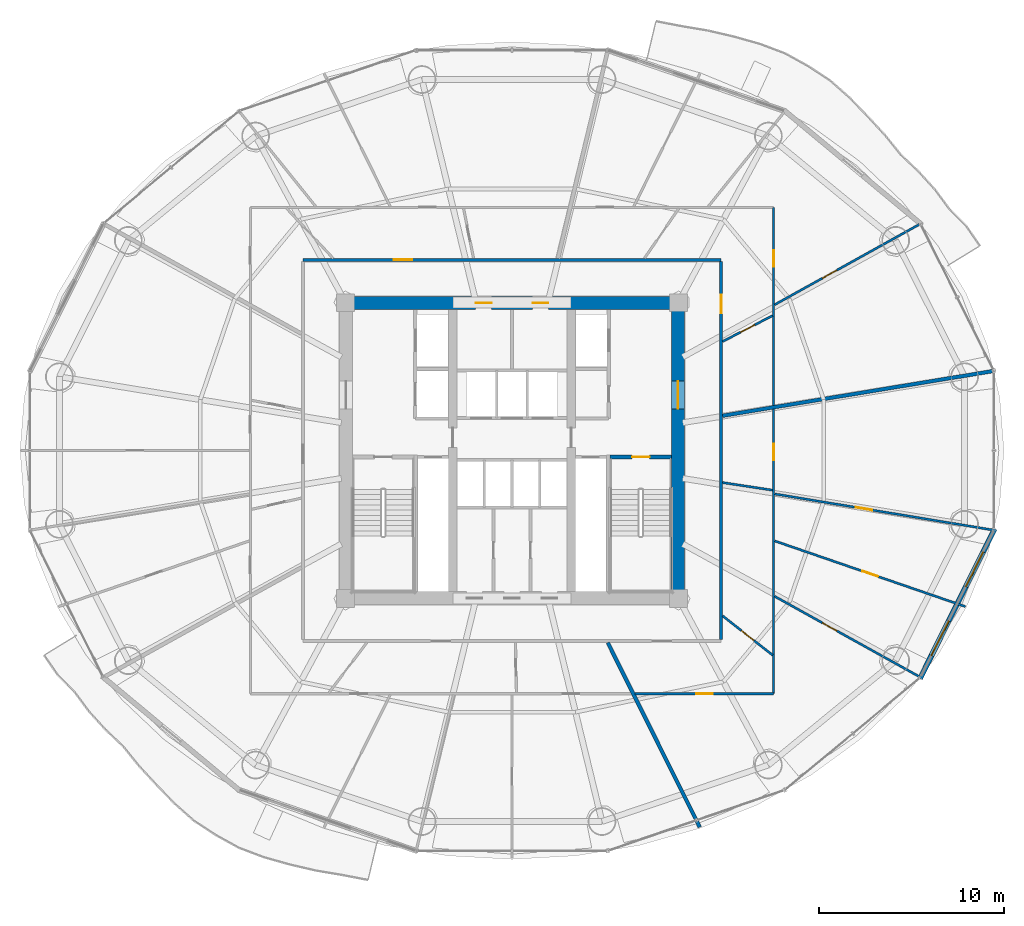
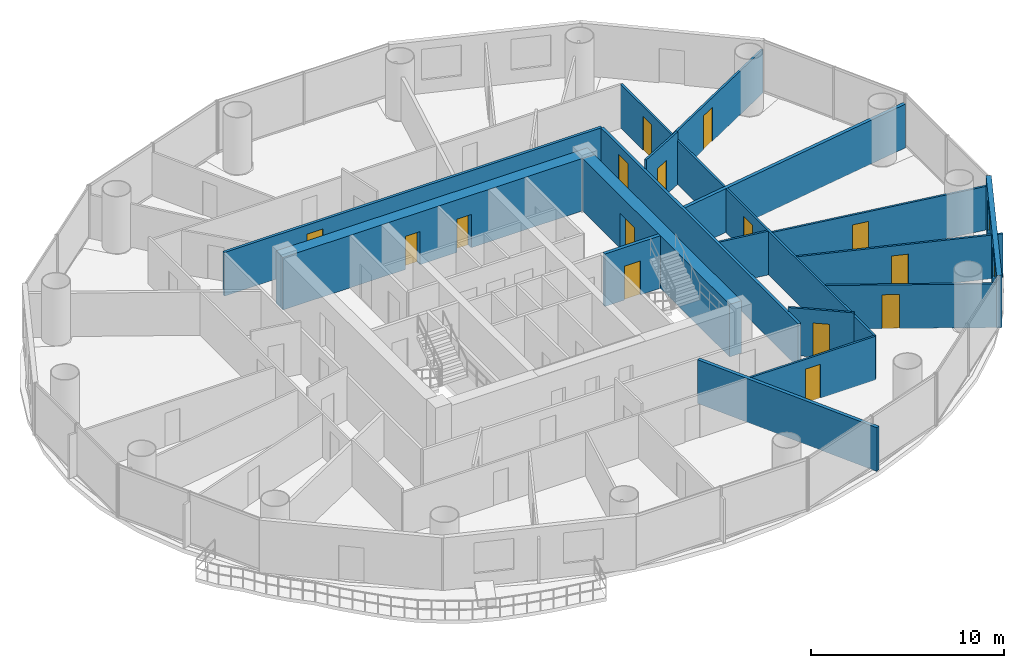
# One storey, part 23 of 28: 18 walls, 15 doors, 2 windows, 17 openings.
"""IFC4 building model written with IfcOpenShell, lengths in metres."""

from ifc_helpers import new_model, si_unit, direction, frame, frame_2d, origin, place, context, subcontext, project, spatial, rectangle, extrude, source, transform, mapped, material, layer, layer_set, type_object, element, fill, save


model = new_model("IFC4")

# Units and contexts
model_context = context("Model", 3, precision=1e-05, world=origin(), true_north=direction((-0.2419218956, 0.970295726276)))
body_context = subcontext(model_context, "Body", "Model", "MODEL_VIEW")
ifc_project = project(units=[si_unit("LENGTHUNIT", "METRE"), si_unit("AREAUNIT", "SQUARE_METRE"), si_unit("VOLUMEUNIT", "CUBIC_METRE"), si_unit("PLANEANGLEUNIT", "RADIAN"), si_unit("MASSUNIT", "GRAM", prefix="KILO")], contexts=[model_context])

# Site, building, storey
site_placement = place(None, origin())
site = spatial("IfcSite", under=ifc_project, at=site_placement, CompositionType="ELEMENT")
building_placement = place(site_placement, origin())
building = spatial("IfcBuilding", under=site, at=building_placement, Name="Cobrevalo Terracotta Tower", CompositionType="ELEMENT")
storey_placement = place(building_placement, frame((0.0, 0.0, 108.60009765625)))
storey = spatial("IfcBuildingStorey", under=building, at=storey_placement, Name="L28", CompositionType="ELEMENT", Elevation=108.60009765625)

# Wall, openings, doors
ifc_material_1 = material(Name="Concrete C60", Category="concrete")
ifc_layer_1 = layer(ifc_material_1, 0.699951171875)
ifc_layer_set_1 = layer_set([ifc_layer_1], Name="Concrete C60")
wall_type_1 = type_object("IfcWallType", Name="Core shear wall 700 mm Concrete C60", PredefinedType="SHEAR", material=ifc_layer_set_1)
wall_1_placement = place(storey_placement, frame((28.675048828125, 34.77490234375, 0.0), z_axis=(0.0, 0.0, 1.0), x_axis=(1.0, 0.0, 0.0)))
wall_1 = element("IfcWall", 1, at=wall_1_placement, inside=storey, type_object=wall_type_1, Name="L28 north core shear wall", PredefinedType="SHEAR", context=body_context, shape_type="SweptSolid", body=[
    extrude(rectangle(XDim=18.64990234375, YDim=0.699951171875, at=frame_2d((9.324951171875, 0.0))), origin(), (0.0, 0.0, 1.0), 3.324951171875),
])
opening_1_placement = place(wall_1_placement, frame((7.357421875, 0.0, 0.0)))
opening_1 = element("IfcOpeningElement", 2, at=opening_1_placement, cuts=wall_1, Name="Opening ID-07", PredefinedType="OPENING", context=body_context, shape_type="SweptSolid", body=[
    extrude(rectangle(XDim=0.860107421875, YDim=2.10009765625, at=frame_2d((0.43017578125, 1.050048828125))), frame((0.0, 0.35986328125, 0.0), z_axis=(0.0, -1.0, 0.0), x_axis=(1.0, 0.0, 0.0)), (0.0, 0.0, 1.0), 0.719970703125),
])
opening_2_placement = place(wall_1_placement, frame((10.4375, 0.0, 0.0)))
opening_2 = element("IfcOpeningElement", 3, at=opening_2_placement, cuts=wall_1, Name="Opening ID-22", PredefinedType="OPENING", context=body_context, shape_type="SweptSolid", body=[
    extrude(rectangle(XDim=0.85009765625, YDim=2.10009765625, at=frame_2d((0.425048828125, 1.050048828125))), frame((0.0, 0.35986328125, 0.0), z_axis=(0.0, -1.0, 0.0), x_axis=(1.0, 0.0, 0.0)), (0.0, 0.0, 1.0), 0.719970703125),
])
ifc_material_2 = material(Name="Powder-coated steel", Category="steel")
door_type_1 = type_object("IfcDoorType", Name="Riser shaft & meter closet fire access door 850x2100 EI 60", OperationType="NOTDEFINED", PredefinedType="DOOR", material=ifc_material_2)
shared_shape_1 = source(origin(), body_context, "Body", "SweptSolid", [
    extrude(rectangle(XDim=0.85009765625, YDim=2.10009765625, at=frame_2d((0.425048828125, 1.050048828125))), frame((0.0, 0.02490234375, 0.0), z_axis=(0.0, -1.0, 0.0), x_axis=(1.0, 0.0, 0.0)), (0.0, 0.0, 1.0), 0.050048828125),
])
door_1_placement = place(opening_2_placement, frame((0.85009765625, 0.0, 0.0), z_axis=(0.0, 0.0, 1.0), x_axis=(-1.0, 0.0, 0.0)))
door_1 = element("IfcDoor", 4, at=door_1_placement, inside=storey, type_object=door_type_1, Name="L28 core north service door Floor Telecom and Metering Plant", OperationType="SINGLE_SWING_RIGHT", OverallHeight=2.10009765625, OverallWidth=0.85009765625, PredefinedType="DOOR", context=body_context, shape_type="MappedRepresentation", body=[
    mapped(shared_shape_1, transform((0.0, 0.0, 0.0), scale=1.0)),
])
fill(opening_2, door_1)
ifc_material_3 = material(Name="Fire-rated moisture-sealed timber", Category="wood")
door_type_2 = type_object("IfcDoorType", Name="Core & podium fire-rated accessible WC door 860x2100 EI 60", OperationType="NOTDEFINED", PredefinedType="DOOR", material=ifc_material_3)
shared_shape_2 = source(origin(), body_context, "Body", "SweptSolid", [
    extrude(rectangle(XDim=0.860107421875, YDim=2.10009765625, at=frame_2d((0.43017578125, 1.050048828125))), frame((0.0, 0.02490234375, 0.0), z_axis=(0.0, -1.0, 0.0), x_axis=(1.0, 0.0, 0.0)), (0.0, 0.0, 1.0), 0.050048828125),
])
door_2_placement = place(opening_1_placement, frame((0.860107421875, 0.0, 0.0), z_axis=(0.0, 0.0, 1.0), x_axis=(-1.0, 0.0, 0.0)))
door_2 = element("IfcDoor", 5, at=door_2_placement, inside=storey, type_object=door_type_2, Name="L28 core north service door Core Accessible Toilet WC", OperationType="SINGLE_SWING_LEFT", OverallHeight=2.10009765625, OverallWidth=0.860107421875, PredefinedType="DOOR", context=body_context, shape_type="MappedRepresentation", body=[
    mapped(shared_shape_2, transform((0.0, 0.0, 0.0), scale=1.0)),
])
fill(opening_1, door_2)

# Wall, opening, door
wall_2_placement = place(storey_placement, frame((46.97509765625, 19.175048828125, 0.0), z_axis=(0.0, 0.0, 1.0), x_axis=(0.0, 1.0, 0.0)))
wall_2 = element("IfcWall", 6, at=wall_2_placement, inside=storey, type_object=wall_type_1, Name="L28 east core shear wall", PredefinedType="SHEAR", context=body_context, shape_type="SweptSolid", body=[
    extrude(rectangle(XDim=15.25, YDim=0.699951171875, at=frame_2d((7.625, 0.0))), origin(), (0.0, 0.0, 1.0), 3.324951171875),
])
opening_3_placement = place(wall_2_placement, frame((9.875, 0.0, 0.0)))
opening_3 = element("IfcOpeningElement", 7, at=opening_3_placement, cuts=wall_2, Name="Opening ID-14", PredefinedType="OPENING", context=body_context, shape_type="SweptSolid", body=[
    extrude(rectangle(XDim=1.5, YDim=2.199951171875, at=frame_2d((0.75, 1.10009765625))), frame((0.0, 0.35986328125, 0.0), z_axis=(0.0, -1.0, 0.0), x_axis=(1.0, 0.0, 0.0)), (0.0, 0.0, 1.0), 0.719970703125),
])
ifc_material_4 = material(Name="Galvanized fire-rated steel", Category="steel")
door_type_3 = type_object("IfcDoorType", Name="Core cross-lobby double fire door 1500x2200 EI 90", OperationType="NOTDEFINED", PredefinedType="DOOR", material=ifc_material_4)
shared_shape_3 = source(origin(), body_context, "Body", "SweptSolid", [
    extrude(rectangle(XDim=1.5, YDim=2.199951171875, at=frame_2d((0.75, 1.10009765625))), frame((0.0, 0.02490234375, 0.0), z_axis=(0.0, -1.0, 0.0), x_axis=(1.0, 0.0, 0.0)), (0.0, 0.0, 1.0), 0.050048828125),
])
door_3_placement = place(opening_3_placement, frame((1.5, 0.0, 0.0), z_axis=(0.0, 0.0, 1.0), x_axis=(-1.0, 0.0, 0.0)))
door_3 = element("IfcDoor", 8, at=door_3_placement, inside=storey, type_object=door_type_3, Name="L28 east firefighting lobby entrance door", OperationType="DOUBLE_DOOR_SINGLE_SWING", OverallHeight=2.199951171875, OverallWidth=1.5, PredefinedType="DOOR", context=body_context, shape_type="MappedRepresentation", body=[
    mapped(shared_shape_3, transform((0.0, 0.0, 0.0), scale=1.0)),
])
fill(opening_3, door_3)

ifc_material_5 = material(Name="Gypsum board on steel stud", Category="steel")
ifc_layer_2 = layer(ifc_material_5, 0.159912109375)
ifc_layer_set_2 = layer_set([ifc_layer_2], Name="Gypsum board on steel stud")
wall_type_2 = type_object("IfcWallType", Name="Fire-rated corridor acoustic partition wall 160 mm", PredefinedType="PARTITIONING", material=ifc_layer_set_2)
wall_3_placement = place(storey_placement, frame((26.695068359375, 37.10498046875, 0.0), z_axis=(0.0, 0.0, 1.0), x_axis=(1.0, 0.0, 0.0)))
wall_3 = element("IfcWall", 9, at=wall_3_placement, inside=storey, type_object=wall_type_2, Name="L28 interior partition IW-L28-COR-N", PredefinedType="PARTITIONING", context=body_context, shape_type="SweptSolid", body=[
    extrude(rectangle(XDim=22.60986328125, YDim=0.159912109375, at=frame_2d((11.304931640625, 0.0))), origin(), (0.0, 0.0, 1.0), 2.766845703125),
])
opening_4_placement = place(wall_3_placement, frame((4.925048828125, 0.0, 0.0)))
opening_4 = element("IfcOpeningElement", 10, at=opening_4_placement, cuts=wall_3, Name="Opening ID-05", PredefinedType="OPENING", context=body_context, shape_type="SweptSolid", body=[
    extrude(rectangle(XDim=0.97998046875, YDim=2.199951171875, at=frame_2d((0.489990234375, 1.10009765625))), frame((0.0, 0.08984375, 0.0), z_axis=(0.0, -1.0, 0.0), x_axis=(1.0, 0.0, 0.0)), (0.0, 0.0, 1.0), 0.179931640625),
])
ifc_material_6 = material(Name="Solid hardwood timber", Category="wood")
door_type_4 = type_object("IfcDoorType", Name="Residence entrance fire-rated acoustic timber door 980x2200 EI 60", OperationType="NOTDEFINED", PredefinedType="DOOR", material=ifc_material_6)
shared_shape_4 = source(origin(), body_context, "Body", "SweptSolid", [
    extrude(rectangle(XDim=0.97998046875, YDim=2.199951171875, at=frame_2d((0.489990234375, 1.10009765625))), frame((0.0, 0.02490234375, 0.0), z_axis=(0.0, -1.0, 0.0), x_axis=(1.0, 0.0, 0.0)), (0.0, 0.0, 1.0), 0.050048828125),
])
door_4_placement = place(opening_4_placement, origin())
door_4 = element("IfcDoor", 11, at=door_4_placement, inside=storey, type_object=door_type_4, Name="Flat L28B fire-rated apartment entrance door", OperationType="SINGLE_SWING_LEFT", OverallHeight=2.199951171875, OverallWidth=0.97998046875, PredefinedType="DOOR", context=body_context, shape_type="MappedRepresentation", body=[
    mapped(shared_shape_4, transform((0.0, 0.0, 0.0), scale=1.0)),
])
fill(opening_4, door_4)

wall_4_placement = place(storey_placement, frame((49.304931640625, 16.574951171875, 0.0), z_axis=(0.0, 0.0, 1.0), x_axis=(0.0, 1.0, 0.0)))
wall_4 = element("IfcWall", 12, at=wall_4_placement, inside=storey, type_object=wall_type_2, Name="L28 interior partition IW-L28-COR-E", PredefinedType="PARTITIONING", context=body_context, shape_type="SweptSolid", body=[
    extrude(rectangle(XDim=20.449951171875, YDim=0.159912109375, at=frame_2d((10.22509765625, 0.0))), origin(), (0.0, 0.0, 1.0), 2.766845703125),
])
opening_5_placement = place(wall_4_placement, frame((17.660400390625, 0.0, 0.0)))
opening_5 = element("IfcOpeningElement", 13, at=opening_5_placement, cuts=wall_4, Name="Opening ID-05", PredefinedType="OPENING", context=body_context, shape_type="SweptSolid", body=[
    extrude(rectangle(XDim=0.97998046875, YDim=2.199951171875, at=frame_2d((0.489990234375, 1.10009765625))), frame((0.0, 0.08984375, 0.0), z_axis=(0.0, -1.0, 0.0), x_axis=(1.0, 0.0, 0.0)), (0.0, 0.0, 1.0), 0.179931640625),
])
door_5_placement = place(opening_5_placement, frame((0.97998046875, 0.0, 0.0), z_axis=(0.0, 0.0, 1.0), x_axis=(-1.0, 0.0, 0.0)))
door_5 = element("IfcDoor", 14, at=door_5_placement, inside=storey, type_object=door_type_4, Name="Flat L28A fire-rated apartment entrance door", OperationType="SINGLE_SWING_RIGHT", OverallHeight=2.199951171875, OverallWidth=0.97998046875, PredefinedType="DOOR", context=body_context, shape_type="MappedRepresentation", body=[
    mapped(shared_shape_4, transform((0.0, 0.0, 0.0), scale=1.0)),
])
fill(opening_5, door_5)

# Walls
ifc_material_7 = material(Name="Autoclaved aerated concrete block", Category="concrete")
ifc_layer_3 = layer(ifc_material_7, 0.199951171875)
ifc_layer_set_3 = layer_set([ifc_layer_3], Name="Autoclaved aerated concrete block")
wall_type_3 = type_object("IfcWallType", Name="Fire-rated stair, shaft & demising masonry wall 200 mm", PredefinedType="PARTITIONING", material=ifc_layer_set_3)
wall_5_placement = place(storey_placement, frame((49.386962890625, 28.681884765625, 0.0), z_axis=(0.0, 0.0, 1.0), x_axis=(0.986617934215, 0.163049231479, 0.0)))
element("IfcWall", 15, at=wall_5_placement, inside=storey, type_object=wall_type_3, Name="L28 interior partition IW-L28-DEM-1", PredefinedType="PARTITIONING", context=body_context, shape_type="SweptSolid", body=[
    extrude(rectangle(XDim=14.78466796875, YDim=0.199951171875, at=frame_2d((7.392333984375, 0.0))), origin(), (0.0, 0.0, 1.0), 2.766845703125),
])
wall_6_placement = place(storey_placement, frame((43.177490234375, 16.4150390625, 0.0), z_axis=(0.0, 0.0, 1.0), x_axis=(0.446179591598, -0.894943446281, 0.0)))
element("IfcWall", 16, at=wall_6_placement, inside=storey, type_object=wall_type_3, Name="L28 interior partition IW-L28-DEM-5", PredefinedType="PARTITIONING", context=body_context, shape_type="SweptSolid", body=[
    extrude(rectangle(XDim=11.147705078125, YDim=0.199951171875, at=frame_2d((5.57373046875, 0.0))), origin(), (0.0, 0.0, 1.0), 2.766845703125),
])

# Wall, openings, windows
ifc_layer_4 = layer(ifc_material_7, 0.280029296875)
ifc_layer_set_4 = layer_set([ifc_layer_4], Name="Autoclaved aerated concrete block")
wall_type_4 = type_object("IfcWallType", Name="Insulated tower spandrel & pier wall 280 mm with terracotta rainscreen", PredefinedType="SOLIDWALL", material=ifc_layer_set_4)
wall_7_placement = place(storey_placement, frame((60.056396484375, 14.467041015625, 0.0), z_axis=(0.0, 0.0, 1.0), x_axis=(0.446274562077, 0.894896091869, 0.0)))
wall_7 = element("IfcWall", 17, at=wall_7_placement, inside=storey, type_object=wall_type_4, Name="L28 terracotta rainscreen pier wall S15", PredefinedType="SOLIDWALL", context=body_context, shape_type="SweptSolid", body=[
    extrude(rectangle(XDim=9.050048828125, YDim=0.280029296875, at=frame_2d((4.52490234375, 0.0))), origin(), (0.0, 0.0, 1.0), 3.324951171875),
])
opening_6_placement = place(wall_7_placement, frame((1.3935546875, 0.0, 0.85009765625)))
opening_6 = element("IfcOpeningElement", 18, at=opening_6_placement, cuts=wall_7, Name="Opening WN-10", PredefinedType="OPENING", context=body_context, shape_type="SweptSolid", body=[
    extrude(rectangle(XDim=2.10009765625, YDim=1.949951171875, at=frame_2d((1.050048828125, 0.97509765625))), frame((0.0, 0.14990234375, 0.0), z_axis=(0.0, -1.0, 0.0), x_axis=(1.0, 0.0, 0.0)), (0.0, 0.0, 1.0), 0.300048828125),
])
opening_7_placement = place(wall_7_placement, frame((5.556640625, 0.0, 0.85009765625)))
opening_7 = element("IfcOpeningElement", 19, at=opening_7_placement, cuts=wall_7, Name="Opening WN-10", PredefinedType="OPENING", context=body_context, shape_type="SweptSolid", body=[
    extrude(rectangle(XDim=2.10009765625, YDim=1.949951171875, at=frame_2d((1.050048828125, 0.97509765625))), frame((0.0, 0.14990234375, 0.0), z_axis=(0.0, -1.0, 0.0), x_axis=(1.0, 0.0, 0.0)), (0.0, 0.0, 1.0), 0.300048828125),
])
ifc_material_8 = material(Name="Solar-control low-E double glazing", Category="glass")
window_type = type_object("IfcWindowType", Name="Wide panoramic low-E aluminium window 2100x1950", PartitioningType="SINGLE_PANEL", PredefinedType="WINDOW", material=ifc_material_8)
shared_shape_5 = source(origin(), body_context, "Body", "SweptSolid", [
    extrude(rectangle(XDim=2.10009765625, YDim=1.949951171875, at=frame_2d((1.050048828125, 0.97509765625))), frame((0.0, 0.030029296875, 0.0), z_axis=(0.0, -1.0, 0.0), x_axis=(1.0, 0.0, 0.0)), (0.0, 0.0, 1.0), 0.06005859375),
])
window_1_placement = place(opening_6_placement, origin())
window_1 = element("IfcWindow", 20, at=window_1_placement, inside=storey, type_object=window_type, Name="L28 suite window S15A", OverallHeight=1.949951171875, OverallWidth=2.10009765625, PartitioningType="SINGLE_PANEL", PredefinedType="WINDOW", context=body_context, shape_type="MappedRepresentation", body=[
    mapped(shared_shape_5, transform((0.0, 0.0, 0.0), scale=1.0)),
])
fill(opening_6, window_1)
window_2_placement = place(opening_7_placement, origin())
window_2 = element("IfcWindow", 21, at=window_2_placement, inside=storey, type_object=window_type, Name="L28 suite window S15B", OverallHeight=1.949951171875, OverallWidth=2.10009765625, PartitioningType="SINGLE_PANEL", PredefinedType="WINDOW", context=body_context, shape_type="MappedRepresentation", body=[
    mapped(shared_shape_5, transform((0.0, 0.0, 0.0), scale=1.0)),
])
fill(opening_7, window_2)

# Wall, opening, door
ifc_layer_5 = layer(ifc_material_5, 0.1201171875)
ifc_layer_set_5 = layer_set([ifc_layer_5], Name="Gypsum board on steel stud")
wall_type_5 = type_object("IfcWallType", Name="Residential internal acoustic stud partition 120 mm", PredefinedType="PARTITIONING", material=ifc_layer_set_5)
wall_8_placement = place(storey_placement, frame((52.14501953125, 39.945068359375, 0.0), z_axis=(0.0, 0.0, 1.0), x_axis=(0.0, -1.0, 0.0)))
wall_8 = element("IfcWall", 22, at=wall_8_placement, inside=storey, type_object=wall_type_5, Name="L28 interior partition IW-L28-U1-RING1_0", PredefinedType="PARTITIONING", context=body_context, shape_type="SweptSolid", body=[
    extrude(rectangle(XDim=10.705322265625, YDim=0.1201171875, at=frame_2d((5.3525390625, 0.0))), origin(), (0.0, 0.0, 1.0), 2.766845703125),
])
opening_8_placement = place(wall_8_placement, frame((2.316162109375, 0.0, 0.0)))
opening_8 = element("IfcOpeningElement", 23, at=opening_8_placement, cuts=wall_8, Name="Opening ID-12", PredefinedType="OPENING", context=body_context, shape_type="SweptSolid", body=[
    extrude(rectangle(XDim=0.89990234375, YDim=2.14990234375, at=frame_2d((0.449951171875, 1.074951171875))), frame((0.0, 0.070068359375, 0.0), z_axis=(0.0, -1.0, 0.0), x_axis=(1.0, 0.0, 0.0)), (0.0, 0.0, 1.0), 0.14013671875),
])
ifc_material_9 = material(Name="Engineered timber", Category="wood")
door_type_5 = type_object("IfcDoorType", Name="Internal residence & suite timber door 900x2150", OperationType="NOTDEFINED", PredefinedType="DOOR", material=ifc_material_9)
shared_shape_6 = source(origin(), body_context, "Body", "SweptSolid", [
    extrude(rectangle(XDim=0.89990234375, YDim=2.14990234375, at=frame_2d((0.449951171875, 1.074951171875))), frame((0.0, 0.02490234375, 0.0), z_axis=(0.0, -1.0, 0.0), x_axis=(1.0, 0.0, 0.0)), (0.0, 0.0, 1.0), 0.050048828125),
])
door_6_placement = place(opening_8_placement, origin())
door_6 = element("IfcDoor", 24, at=door_6_placement, inside=storey, type_object=door_type_5, Name="Flat L28A Master Bedroom internal door", OperationType="SINGLE_SWING_RIGHT", OverallHeight=2.14990234375, OverallWidth=0.89990234375, PredefinedType="DOOR", context=body_context, shape_type="MappedRepresentation", body=[
    mapped(shared_shape_6, transform((0.0, 0.0, 0.0), scale=1.0)),
])
fill(opening_8, door_6)

wall_9_placement = place(storey_placement, frame((52.19921875, 34.6826171875, 0.0), z_axis=(0.0, 0.0, 1.0), x_axis=(0.874320827228, 0.485348422349, 0.0)))
wall_9 = element("IfcWall", 25, at=wall_9_placement, inside=storey, type_object=wall_type_5, Name="L28 interior partition IW-L28-U1-ORAD1", PredefinedType="PARTITIONING", context=body_context, shape_type="SweptSolid", body=[
    extrude(rectangle(XDim=8.939697265625, YDim=0.1201171875, at=frame_2d((4.4697265625, 0.0))), origin(), (0.0, 0.0, 1.0), 2.766845703125),
])
opening_9_placement = place(wall_9_placement, frame((2.95263671875, 0.0, 0.0)))
opening_9 = element("IfcOpeningElement", 26, at=opening_9_placement, cuts=wall_9, Name="Opening ID-12", PredefinedType="OPENING", context=body_context, shape_type="SweptSolid", body=[
    extrude(rectangle(XDim=0.89990234375, YDim=2.14990234375, at=frame_2d((0.449951171875, 1.074951171875))), frame((0.0, 0.070068359375, 0.0), z_axis=(0.0, -1.0, 0.0), x_axis=(1.0, 0.0, 0.0)), (0.0, 0.0, 1.0), 0.14013671875),
])
door_7_placement = place(opening_9_placement, frame((0.89990234375, 0.0, 0.0), z_axis=(0.0, 0.0, 1.0), x_axis=(-1.0, 0.0, 0.0)))
door_7 = element("IfcDoor", 27, at=door_7_placement, inside=storey, type_object=door_type_5, Name="Flat L28A Living and Dining Room internal door", OperationType="SINGLE_SWING_RIGHT", OverallHeight=2.14990234375, OverallWidth=0.89990234375, PredefinedType="DOOR", context=body_context, shape_type="MappedRepresentation", body=[
    mapped(shared_shape_6, transform((0.0, 0.0, 0.0), scale=1.0)),
])
fill(opening_9, door_7)

wall_10_placement = place(storey_placement, frame((49.38671875, 32.695068359375, 0.0), z_axis=(0.0, 0.0, 1.0), x_axis=(0.888050549489, 0.459745822767, 0.0)))
wall_10 = element("IfcWall", 28, at=wall_10_placement, inside=storey, type_object=wall_type_5, Name="L28 interior partition IW-L28-U1-IRAD1", PredefinedType="PARTITIONING", context=body_context, shape_type="SweptSolid", body=[
    extrude(rectangle(XDim=3.0439453125, YDim=0.1201171875, at=frame_2d((1.52197265625, 0.0))), origin(), (0.0, 0.0, 1.0), 3.324951171875),
])
opening_10_placement = place(wall_10_placement, frame((1.092041015625, 0.0, 0.0)))
opening_10 = element("IfcOpeningElement", 29, at=opening_10_placement, cuts=wall_10, Name="Opening ID-19", PredefinedType="OPENING", context=body_context, shape_type="SweptSolid", body=[
    extrude(rectangle(XDim=0.860107421875, YDim=2.14990234375, at=frame_2d((0.43017578125, 1.074951171875))), frame((0.0, 0.070068359375, 0.0), z_axis=(0.0, -1.0, 0.0), x_axis=(1.0, 0.0, 0.0)), (0.0, 0.0, 1.0), 0.14013671875),
])
ifc_material_10 = material(Name="Moisture-sealed timber", Category="wood")
door_type_6 = type_object("IfcDoorType", Name="Suite bathroom internal timber door 860x2150", OperationType="NOTDEFINED", PredefinedType="DOOR", material=ifc_material_10)
shared_shape_7 = source(origin(), body_context, "Body", "SweptSolid", [
    extrude(rectangle(XDim=0.860107421875, YDim=2.14990234375, at=frame_2d((0.43017578125, 1.074951171875))), frame((0.0, 0.02490234375, 0.0), z_axis=(0.0, -1.0, 0.0), x_axis=(1.0, 0.0, 0.0)), (0.0, 0.0, 1.0), 0.050048828125),
])
door_8_placement = place(opening_10_placement, frame((0.860107421875, 0.0, 0.0), z_axis=(0.0, 0.0, 1.0), x_axis=(-1.0, 0.0, 0.0)))
door_8 = element("IfcDoor", 30, at=door_8_placement, inside=storey, type_object=door_type_6, Name="Flat L28A Primary Bathroom internal door", OperationType="SINGLE_SWING_LEFT", OverallHeight=2.14990234375, OverallWidth=0.860107421875, PredefinedType="DOOR", context=body_context, shape_type="MappedRepresentation", body=[
    mapped(shared_shape_7, transform((0.0, 0.0, 0.0), scale=1.0)),
])
fill(opening_10, door_8)

wall_11_placement = place(storey_placement, frame((52.14501953125, 29.03564453125, 0.0), z_axis=(0.0, 0.0, 1.0), x_axis=(0.0, -1.0, 0.0)))
wall_11 = element("IfcWall", 31, at=wall_11_placement, inside=storey, type_object=wall_type_5, Name="L28 interior partition IW-L28-U5-RING0_0", PredefinedType="PARTITIONING", context=body_context, shape_type="SweptSolid", body=[
    extrude(rectangle(XDim=15.380615234375, YDim=0.1201171875, at=frame_2d((7.6904296875, 0.0))), origin(), (0.0, 0.0, 1.0), 2.766845703125),
])
opening_11_placement = place(wall_11_placement, frame((1.864013671875, 0.0, 0.0)))
opening_11 = element("IfcOpeningElement", 32, at=opening_11_placement, cuts=wall_11, Name="Opening ID-12", PredefinedType="OPENING", context=body_context, shape_type="SweptSolid", body=[
    extrude(rectangle(XDim=0.89990234375, YDim=2.14990234375, at=frame_2d((0.449951171875, 1.074951171875))), frame((0.0, 0.070068359375, 0.0), z_axis=(0.0, -1.0, 0.0), x_axis=(1.0, 0.0, 0.0)), (0.0, 0.0, 1.0), 0.14013671875),
])
door_9_placement = place(opening_11_placement, frame((0.89990234375, 0.0, 0.0), z_axis=(0.0, 0.0, 1.0), x_axis=(-1.0, 0.0, 0.0)))
door_9 = element("IfcDoor", 33, at=door_9_placement, inside=storey, type_object=door_type_5, Name="Flat L28E Kitchen internal door", OperationType="SINGLE_SWING_LEFT", OverallHeight=2.14990234375, OverallWidth=0.89990234375, PredefinedType="DOOR", context=body_context, shape_type="MappedRepresentation", body=[
    mapped(shared_shape_6, transform((0.0, 0.0, 0.0), scale=1.0)),
])
fill(opening_11, door_9)

wall_12_placement = place(storey_placement, frame((52.14501953125, 13.655029296875, 0.0), z_axis=(0.0, 0.0, 1.0), x_axis=(-1.0, 0.0, 0.0)))
wall_12 = element("IfcWall", 34, at=wall_12_placement, inside=storey, type_object=wall_type_5, Name="L28 interior partition IW-L28-U5-RING1_0", PredefinedType="PARTITIONING", context=body_context, shape_type="SweptSolid", body=[
    extrude(rectangle(XDim=7.489501953125, YDim=0.1201171875, at=frame_2d((3.74462890625, 0.0))), origin(), (0.0, 0.0, 1.0), 2.766845703125),
])
opening_12_placement = place(wall_12_placement, frame((3.294677734375, 0.0, 0.0)))
opening_12 = element("IfcOpeningElement", 35, at=opening_12_placement, cuts=wall_12, Name="Opening ID-12", PredefinedType="OPENING", context=body_context, shape_type="SweptSolid", body=[
    extrude(rectangle(XDim=0.89990234375, YDim=2.14990234375, at=frame_2d((0.449951171875, 1.074951171875))), frame((0.0, 0.070068359375, 0.0), z_axis=(0.0, -1.0, 0.0), x_axis=(1.0, 0.0, 0.0)), (0.0, 0.0, 1.0), 0.14013671875),
])
door_10_placement = place(opening_12_placement, origin())
door_10 = element("IfcDoor", 36, at=door_10_placement, inside=storey, type_object=door_type_5, Name="Flat L28E Living and Dining Room internal door", OperationType="SINGLE_SWING_LEFT", OverallHeight=2.14990234375, OverallWidth=0.89990234375, PredefinedType="DOOR", context=body_context, shape_type="MappedRepresentation", body=[
    mapped(shared_shape_6, transform((0.0, 0.0, 0.0), scale=1.0)),
])
fill(opening_12, door_10)

wall_13_placement = place(storey_placement, frame((52.19921875, 18.91748046875, 0.0), z_axis=(0.0, 0.0, 1.0), x_axis=(0.874309238244, -0.485369298495, 0.0)))
wall_13 = element("IfcWall", 37, at=wall_13_placement, inside=storey, type_object=wall_type_5, Name="L28 interior partition IW-L28-U5-ORAD1", PredefinedType="PARTITIONING", context=body_context, shape_type="SweptSolid", body=[
    extrude(rectangle(XDim=8.939697265625, YDim=0.1201171875, at=frame_2d((4.4697265625, 0.0))), origin(), (0.0, 0.0, 1.0), 2.766845703125),
])
opening_13_placement = place(wall_13_placement, frame((2.95263671875, 0.0, 0.0)))
opening_13 = element("IfcOpeningElement", 38, at=opening_13_placement, cuts=wall_13, Name="Opening ID-12", PredefinedType="OPENING", context=body_context, shape_type="SweptSolid", body=[
    extrude(rectangle(XDim=0.89990234375, YDim=2.14990234375, at=frame_2d((0.449951171875, 1.074951171875))), frame((0.0, 0.070068359375, 0.0), z_axis=(0.0, -1.0, 0.0), x_axis=(1.0, 0.0, 0.0)), (0.0, 0.0, 1.0), 0.14013671875),
])
door_11_placement = place(opening_13_placement, origin())
door_11 = element("IfcDoor", 39, at=door_11_placement, inside=storey, type_object=door_type_5, Name="Flat L28E Master Bedroom internal door", OperationType="SINGLE_SWING_RIGHT", OverallHeight=2.14990234375, OverallWidth=0.89990234375, PredefinedType="DOOR", context=body_context, shape_type="MappedRepresentation", body=[
    mapped(shared_shape_6, transform((0.0, 0.0, 0.0), scale=1.0)),
])
fill(opening_13, door_11)

wall_14_placement = place(storey_placement, frame((52.20361328125, 21.911865234375, 0.0), z_axis=(0.0, 0.0, 1.0), x_axis=(0.945574063861, -0.325406960209, 0.0)))
wall_14 = element("IfcWall", 40, at=wall_14_placement, inside=storey, type_object=wall_type_5, Name="L28 interior partition IW-L28-U5-ORAD2M1", PredefinedType="PARTITIONING", context=body_context, shape_type="SweptSolid", body=[
    extrude(rectangle(XDim=10.90576171875, YDim=0.1201171875, at=frame_2d((5.452880859375, 0.0))), origin(), (0.0, 0.0, 1.0), 2.766845703125),
])
opening_14_placement = place(wall_14_placement, frame((5.0029296875, 0.0, 0.0)))
opening_14 = element("IfcOpeningElement", 41, at=opening_14_placement, cuts=wall_14, Name="Opening ID-12", PredefinedType="OPENING", context=body_context, shape_type="SweptSolid", body=[
    extrude(rectangle(XDim=0.89990234375, YDim=2.14990234375, at=frame_2d((0.449951171875, 1.074951171875))), frame((0.0, 0.070068359375, 0.0), z_axis=(0.0, -1.0, 0.0), x_axis=(1.0, 0.0, 0.0)), (0.0, 0.0, 1.0), 0.14013671875),
])
door_12_placement = place(opening_14_placement, origin())
door_12 = element("IfcDoor", 42, at=door_12_placement, inside=storey, type_object=door_type_5, Name="Flat L28E Principal Guest Bedroom internal door", OperationType="SINGLE_SWING_LEFT", OverallHeight=2.14990234375, OverallWidth=0.89990234375, PredefinedType="DOOR", context=body_context, shape_type="MappedRepresentation", body=[
    mapped(shared_shape_6, transform((0.0, 0.0, 0.0), scale=1.0)),
])
fill(opening_14, door_12)

wall_15_placement = place(storey_placement, frame((52.2060546875, 24.4521484375, 0.0), z_axis=(0.0, 0.0, 1.0), x_axis=(0.986620350945, -0.163034607068, 0.0)))
wall_15 = element("IfcWall", 43, at=wall_15_placement, inside=storey, type_object=wall_type_5, Name="L28 interior partition IW-L28-U5-ORAD2", PredefinedType="PARTITIONING", context=body_context, shape_type="SweptSolid", body=[
    extrude(rectangle(XDim=11.927490234375, YDim=0.1201171875, at=frame_2d((5.9638671875, 0.0))), origin(), (0.0, 0.0, 1.0), 2.766845703125),
])
opening_15_placement = place(wall_15_placement, frame((4.440185546875, 0.0, 0.0)))
opening_15 = element("IfcOpeningElement", 44, at=opening_15_placement, cuts=wall_15, Name="Opening ID-12", PredefinedType="OPENING", context=body_context, shape_type="SweptSolid", body=[
    extrude(rectangle(XDim=0.89990234375, YDim=2.14990234375, at=frame_2d((0.449951171875, 1.074951171875))), frame((0.0, 0.070068359375, 0.0), z_axis=(0.0, -1.0, 0.0), x_axis=(1.0, 0.0, 0.0)), (0.0, 0.0, 1.0), 0.14013671875),
])
door_13_placement = place(opening_15_placement, origin())
door_13 = element("IfcDoor", 45, at=door_13_placement, inside=storey, type_object=door_type_5, Name="Flat L28E Penthouse Family Lounge internal door", OperationType="SINGLE_SWING_RIGHT", OverallHeight=2.14990234375, OverallWidth=0.89990234375, PredefinedType="DOOR", context=body_context, shape_type="MappedRepresentation", body=[
    mapped(shared_shape_6, transform((0.0, 0.0, 0.0), scale=1.0)),
])
fill(opening_15, door_13)

wall_16_placement = place(storey_placement, frame((49.386474609375, 17.861328125, 0.0), z_axis=(0.0, 0.0, 1.0), x_axis=(0.786615823421, -0.617442747422, 0.0)))
wall_16 = element("IfcWall", 46, at=wall_16_placement, inside=storey, type_object=wall_type_5, Name="L28 interior partition IW-L28-U5-IRAD1", PredefinedType="PARTITIONING", context=body_context, shape_type="SweptSolid", body=[
    extrude(rectangle(XDim=3.44482421875, YDim=0.1201171875, at=frame_2d((1.722412109375, 0.0))), origin(), (0.0, 0.0, 1.0), 3.00390625),
])
opening_16_placement = place(wall_16_placement, frame((1.29248046875, 0.0, 0.0)))
opening_16 = element("IfcOpeningElement", 47, at=opening_16_placement, cuts=wall_16, Name="Opening ID-19", PredefinedType="OPENING", context=body_context, shape_type="SweptSolid", body=[
    extrude(rectangle(XDim=0.860107421875, YDim=2.14990234375, at=frame_2d((0.43017578125, 1.074951171875))), frame((0.0, 0.070068359375, 0.0), z_axis=(0.0, -1.0, 0.0), x_axis=(1.0, 0.0, 0.0)), (0.0, 0.0, 1.0), 0.14013671875),
])
door_14_placement = place(opening_16_placement, origin())
door_14 = element("IfcDoor", 48, at=door_14_placement, inside=storey, type_object=door_type_6, Name="Flat L28E Primary Bathroom internal door", OperationType="SINGLE_SWING_RIGHT", OverallHeight=2.14990234375, OverallWidth=0.860107421875, PredefinedType="DOOR", context=body_context, shape_type="MappedRepresentation", body=[
    mapped(shared_shape_7, transform((0.0, 0.0, 0.0), scale=1.0)),
])
fill(opening_16, door_14)

# Wall
wall_17_placement = place(storey_placement, frame((49.386962890625, 25.0673828125, 0.0), z_axis=(0.0, 0.0, 1.0), x_axis=(0.988617679804, -0.150449603454, 0.0)))
element("IfcWall", 49, at=wall_17_placement, inside=storey, type_object=wall_type_5, Name="L28 interior partition IW-L28-U5-IRAD2", PredefinedType="PARTITIONING", context=body_context, shape_type="SweptSolid", body=[
    extrude(rectangle(XDim=2.727783203125, YDim=0.1201171875, at=frame_2d((1.36376953125, 0.0))), origin(), (0.0, 0.0, 1.0), 2.766845703125),
])

# Wall, opening, door
ifc_material_11 = material(Name="Concrete C50", Category="concrete")
ifc_layer_6 = layer(ifc_material_11, 0.199951171875)
ifc_layer_set_6 = layer_set([ifc_layer_6], Name="Concrete C50")
wall_type_6 = type_object("IfcWallType", Name="Structural core & podium stair-shaft RC wall 200 mm Concrete C50", PredefinedType="SOLIDWALL", material=ifc_layer_set_6)
wall_18_placement = place(storey_placement, frame((43.304931640625, 26.449951171875, 0.0), z_axis=(0.0, 0.0, 1.0), x_axis=(1.0, 0.0, 0.0)))
wall_18 = element("IfcWall", 50, at=wall_18_placement, inside=storey, type_object=wall_type_6, Name="L28 ST-2 north structural shaft wall", PredefinedType="SOLIDWALL", context=body_context, shape_type="SweptSolid", body=[
    extrude(rectangle(XDim=3.320068359375, YDim=0.199951171875, at=frame_2d((1.66015625, 0.0))), origin(), (0.0, 0.0, 1.0), 3.324951171875),
])
opening_17_placement = place(wall_18_placement, frame((1.18505859375, 0.0, 0.0)))
opening_17 = element("IfcOpeningElement", 51, at=opening_17_placement, cuts=wall_18, Name="Opening ID-04", PredefinedType="OPENING", context=body_context, shape_type="SweptSolid", body=[
    extrude(rectangle(XDim=0.949951171875, YDim=2.14990234375, at=frame_2d((0.47509765625, 1.074951171875))), frame((0.0, 0.10986328125, 0.0), z_axis=(0.0, -1.0, 0.0), x_axis=(1.0, 0.0, 0.0)), (0.0, 0.0, 1.0), 0.219970703125),
])
door_type_7 = type_object("IfcDoorType", Name="Stair & firefighting lobby fire door 950x2150 EI 90", OperationType="NOTDEFINED", PredefinedType="DOOR", material=ifc_material_4)
shared_shape_8 = source(origin(), body_context, "Body", "SweptSolid", [
    extrude(rectangle(XDim=0.949951171875, YDim=2.14990234375, at=frame_2d((0.47509765625, 1.074951171875))), frame((0.0, 0.02490234375, 0.0), z_axis=(0.0, -1.0, 0.0), x_axis=(1.0, 0.0, 0.0)), (0.0, 0.0, 1.0), 0.050048828125),
])
door_15_placement = place(opening_17_placement, frame((0.949951171875, 0.0, 0.0), z_axis=(0.0, 0.0, 1.0), x_axis=(-1.0, 0.0, 0.0)))
door_15 = element("IfcDoor", 52, at=door_15_placement, inside=storey, type_object=door_type_7, Name="L28 protected stair ST2 fire door", OperationType="SINGLE_SWING_RIGHT", OverallHeight=2.14990234375, OverallWidth=0.949951171875, PredefinedType="DOOR", context=body_context, shape_type="MappedRepresentation", body=[
    mapped(shared_shape_8, transform((0.0, 0.0, 0.0), scale=1.0)),
])
fill(opening_17, door_15)

save(model, "model.ifc")
